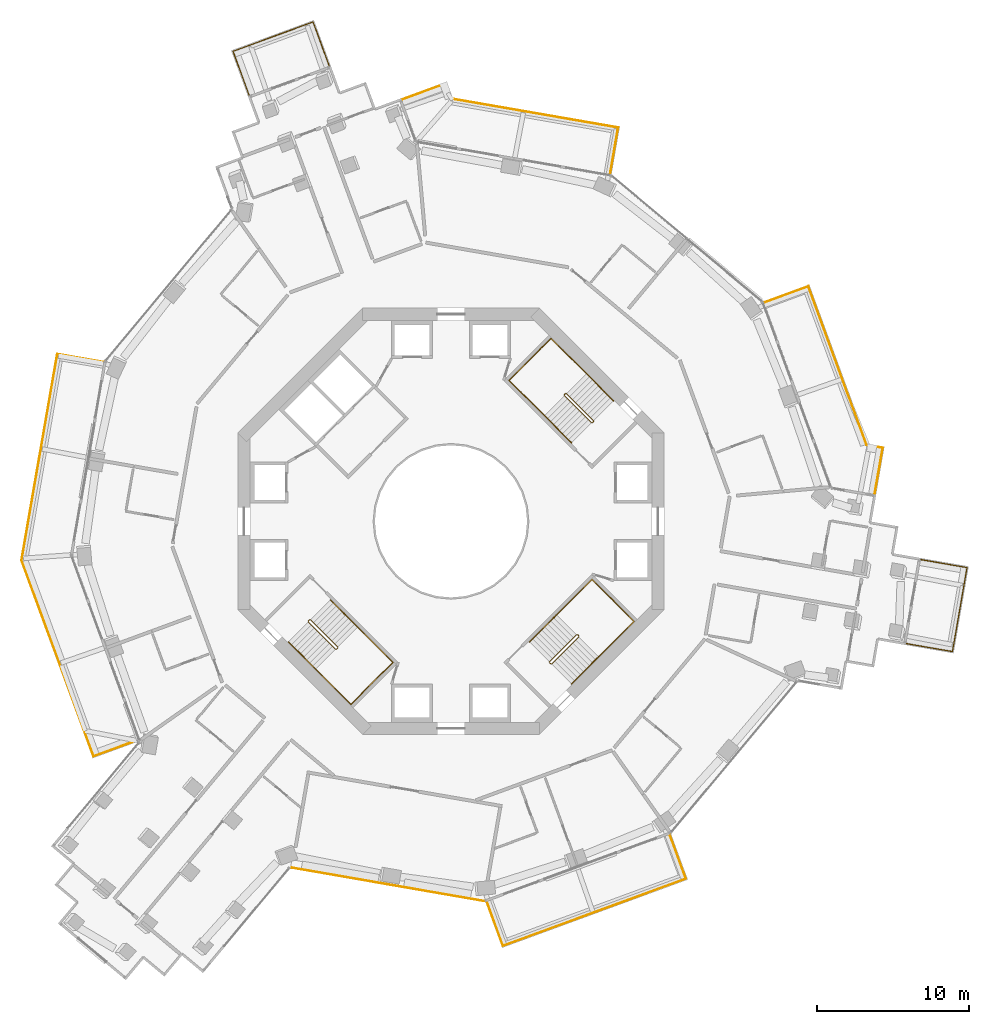
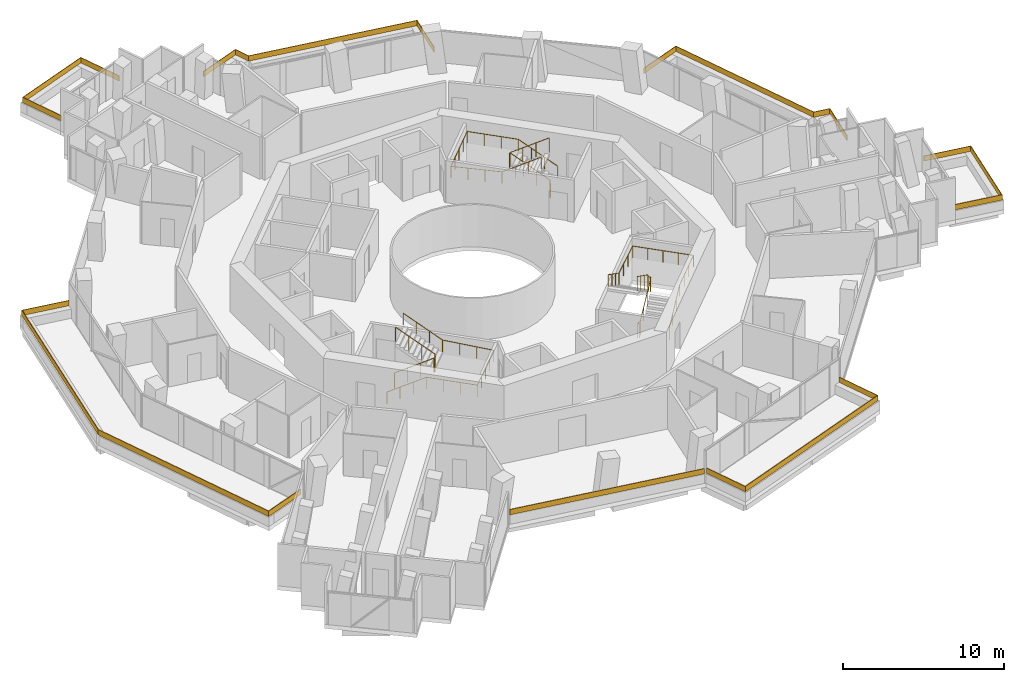
# One storey, part 24 of 24: 13 railings.
"""IFC4 building model written with IfcOpenShell, lengths in metres."""

from ifc_helpers import new_model, si_unit, direction, frame, origin, origin_2d, place, context, subcontext, project, spatial, polyline, rectangle, circle, outline, extrude, material, layer, layer_set, type_object, element, save


model = new_model("IFC4")

# Units and contexts
model_context = context("Model", 3, precision=1e-05, world=origin(), true_north=direction((0.0, 1.0)))
body_context = subcontext(model_context, "Body", "Model", "MODEL_VIEW")
ifc_project = project(units=[si_unit("LENGTHUNIT", "METRE"), si_unit("AREAUNIT", "SQUARE_METRE"), si_unit("VOLUMEUNIT", "CUBIC_METRE"), si_unit("PLANEANGLEUNIT", "RADIAN"), si_unit("MASSUNIT", "GRAM", prefix="KILO")], contexts=[model_context])

# Site, building, storey
site_placement = place(None, origin())
site = spatial("IfcSite", under=ifc_project, at=site_placement, CompositionType="ELEMENT")
building_placement = place(site_placement, origin())
building = spatial("IfcBuilding", under=site, at=building_placement, Name="Verdalira Terraces Hotel", CompositionType="ELEMENT")
storey_placement = place(building_placement, frame((0.0, 0.0, 115.0)))
storey = spatial("IfcBuildingStorey", under=building, at=storey_placement, Name="L27", CompositionType="ELEMENT", Elevation=115.0)

# Railings
ifc_material_1 = material(Name="Laminated glass", Category="glass")
ifc_layer = layer(ifc_material_1, 0.0400390625)
ifc_layer_set = layer_set([ifc_layer], Name="Balcony glass guard 400")
railing_type_1 = type_object("IfcRailingType", Name="Balcony glass guard 400", PredefinedType="GUARDRAIL", material=ifc_layer_set)
railing_1_placement = place(storey_placement, frame((0.0, 0.0, 0.699951)))
element("IfcRailing", 1, at=railing_1_placement, inside=storey, type_object=railing_type_1, Name="Balcony glass guard", PredefinedType="GUARDRAIL", context=body_context, shape_type="SweptSolid", body=[
    extrude(outline(polyline([(-9.072998, 32.779053), (-14.292236, 30.862793), (-13.231201, 27.972412), (-13.268555, 27.95874), (-14.343506, 30.886475), (-9.049072, 32.830322), (-7.974121, 29.902344), (-8.011719, 29.888672), (-9.072998, 32.779053)])), origin(), (0.0, 0.0, 1.0), 0.400146),
])
railing_2_placement = place(storey_placement, frame((0.0, 0.0, 0.699951)))
element("IfcRailing", 2, at=railing_2_placement, inside=storey, type_object=railing_type_1, Name="Balcony glass guard", PredefinedType="GUARDRAIL", context=body_context, shape_type="SweptSolid", body=[
    extrude(outline(polyline([(-25.845947, 10.958252), (-28.187988, -2.54541), (-23.4646, -15.411133), (-20.574219, -14.349854), (-20.560547, -14.387451), (-23.488281, -15.462402), (-28.229248, -2.549316), (-25.878418, 11.004395), (-22.805176, 10.471436), (-22.812012, 10.431885), (-25.845947, 10.958252)])), origin(), (0.0, 0.0, 1.0), 0.400146),
])
railing_3_placement = place(storey_placement, frame((0.0, 0.0, 0.699951)))
element("IfcRailing", 3, at=railing_3_placement, inside=storey, type_object=railing_type_1, Name="Balcony glass guard", PredefinedType="GUARDRAIL", context=body_context, shape_type="SweptSolid", body=[
    extrude(outline(polyline([(3.432861, -27.862305), (15.411133, -23.4646), (14.349854, -20.574219), (14.387451, -20.560547), (15.462402, -23.488281), (3.40918, -27.913574), (2.334229, -24.985596), (2.371582, -24.971924), (3.432861, -27.862305)])), origin(), (0.0, 0.0, 1.0), 0.400146),
])
railing_4_placement = place(storey_placement, frame((0.0, 0.0, 0.699951)))
element("IfcRailing", 4, at=railing_4_placement, inside=storey, type_object=railing_type_1, Name="Balcony glass guard", PredefinedType="GUARDRAIL", context=body_context, shape_type="SweptSolid", body=[
    extrude(outline(polyline([(32.923828, -8.532227), (33.874023, -3.053955), (30.840332, -2.527832), (30.847168, -2.488281), (33.92041, -3.02124), (32.956543, -8.578369), (29.883301, -8.04541), (29.890137, -8.005859), (32.923828, -8.532227)])), origin(), (0.0, 0.0, 1.0), 0.400146),
])
railing_5_placement = place(storey_placement, frame((0.0, 0.0, 0.699951)))
element("IfcRailing", 5, at=railing_5_placement, inside=storey, type_object=railing_type_1, Name="Balcony glass guard", PredefinedType="GUARDRAIL", context=body_context, shape_type="SweptSolid", body=[
    extrude(outline(polyline([(28.336182, 4.808105), (27.290771, 4.989502), (23.4646, 15.411133), (20.574219, 14.349854), (20.560547, 14.387451), (23.488281, 15.462402), (27.320312, 5.024902), (28.382568, 4.84082), (27.849365, 1.767578), (27.810059, 1.774414), (28.336182, 4.808105)])), origin(), (0.0, 0.0, 1.0), 0.400146),
])
railing_6_placement = place(storey_placement, frame((0.0, 0.0, 0.699951)))
element("IfcRailing", 6, at=railing_6_placement, inside=storey, type_object=railing_type_1, Name="Balcony glass guard", PredefinedType="GUARDRAIL", context=body_context, shape_type="SweptSolid", body=[
    extrude(outline(polyline([(10.958252, 25.845947), (0.019775, 27.743164), (-0.345947, 28.739258), (-3.236328, 27.677979), (-3.25, 27.715576), (-0.322266, 28.790527), (0.049316, 27.778564), (11.004395, 25.878418), (10.471436, 22.805176), (10.431885, 22.812012), (10.958252, 25.845947)])), origin(), (0.0, 0.0, 1.0), 0.400146),
])
railing_7_placement = place(storey_placement, frame((-4.137207, -23.852295, 0.699951), z_axis=(0.0, 0.0, 1.0), x_axis=(0.98528883, -0.170897402, 0.0)))
element("IfcRailing", 7, at=railing_7_placement, inside=storey, type_object=railing_type_1, Name="Loggia glass guard", PredefinedType="GUARDRAIL", context=body_context, shape_type="SweptSolid", body=[
    extrude(rectangle(XDim=12.840088, YDim=0.040039, at=origin_2d()), origin(), (0.0, 0.0, 1.0), 0.399902),
])
ifc_material_2 = material(Name="Stainless steel", Category="steel")
railing_type_2 = type_object("IfcRailingType", Name="Stair guard 1100", PredefinedType="GUARDRAIL", material=ifc_material_2)
railing_8_placement = place(storey_placement, frame((9.369141, 6.540771, 0.0)))
element("IfcRailing", 8, at=railing_8_placement, inside=storey, type_object=railing_type_2, Name="L27 ST1 stair guard 1", PredefinedType="GUARDRAIL", context=body_context, shape_type="SweptSolid", body=[
    extrude(circle(Radius=0.023926, at=origin_2d()), frame((0.0, 0.0, 1.076172), z_axis=(-0.707106781, -0.707106781, 0.0), x_axis=(0.707106781, -0.707106781, 0.0)), (0.0, 0.0, 1.0), 0.100098),
    extrude(circle(Radius=0.023926, at=origin_2d()), frame((-0.070801, -0.070801, 1.076172), z_axis=(0.300162975, 0.599290904, 0.742127078), x_axis=(-0.894118129, 0.447831187, 0.0)), (0.0, 0.0, 1.0), 0.23584),
    extrude(circle(Radius=0.023926, at=origin_2d()), frame((0.0, 0.070557, 1.250977), z_axis=(-0.599637504, 0.599637504, 0.52997144), x_axis=(-0.707106781, -0.707106781, 0.0)), (0.0, 0.0, 1.0), 2.97168),
    extrude(circle(Radius=0.023926, at=origin_2d()), frame((-1.781982, 1.852539, 2.826172), z_axis=(-1.0, 0.0, 0.0), x_axis=(0.0, -1.0, 0.0)), (0.0, 0.0, 1.0), 0.070557),
    extrude(circle(Radius=0.023926, at=origin_2d()), frame((-1.852539, 1.852539, 2.826172), z_axis=(-0.70832698, -0.705884473, 0.0), x_axis=(0.705884473, -0.70832698, 0.0)), (0.0, 0.0, 1.0), 0.099854),
    extrude(circle(Radius=0.023926, at=origin_2d()), frame((-1.92334, 1.781982, 2.826172), z_axis=(0.0, -0.374954687, 0.92704314), x_axis=(1.0, 0.0, 0.0)), (0.0, 0.0, 1.0), 0.188721),
    extrude(circle(Radius=0.023926, at=origin_2d()), frame((-1.92334, 1.711182, 3.000977), z_axis=(0.599637504, -0.599637504, 0.52997144), x_axis=(0.707106781, 0.707106781, 0.0)), (0.0, 0.0, 1.0), 2.97168),
    extrude(circle(Radius=0.020996, at=origin_2d()), origin(), (0.0, 0.0, 1.0), 1.052002),
    extrude(circle(Radius=0.020996, at=origin_2d()), frame((-0.070801, -0.070801, 0.0)), (0.0, 0.0, 1.0), 1.052002),
    extrude(circle(Radius=0.020996, at=origin_2d()), frame((0.0, 0.070557, 0.175049)), (0.0, 0.0, 1.0), 1.052002),
    extrude(circle(Radius=0.020996, at=origin_2d()), frame((-0.593994, 0.664551, 0.699951)), (0.0, 0.0, 1.0), 1.052002),
    extrude(circle(Radius=0.020996, at=origin_2d()), frame((-1.187988, 1.258545, 1.225098)), (0.0, 0.0, 1.0), 1.052002),
    extrude(circle(Radius=0.020996, at=origin_2d()), frame((-1.781982, 1.852539, 1.75)), (0.0, 0.0, 1.0), 1.052002),
    extrude(circle(Radius=0.020996, at=origin_2d()), frame((-1.852539, 1.852539, 1.75)), (0.0, 0.0, 1.0), 1.052002),
    extrude(circle(Radius=0.020996, at=origin_2d()), frame((-1.92334, 1.781982, 1.75)), (0.0, 0.0, 1.0), 1.052002),
    extrude(circle(Radius=0.020996, at=origin_2d()), frame((-1.92334, 1.711182, 1.925049)), (0.0, 0.0, 1.0), 1.052002),
    extrude(circle(Radius=0.020996, at=origin_2d()), frame((-1.329346, 1.117188, 2.449951)), (0.0, 0.0, 1.0), 1.052002),
    extrude(circle(Radius=0.020996, at=origin_2d()), frame((-0.735352, 0.523193, 2.975098)), (0.0, 0.0, 1.0), 1.052002),
    extrude(circle(Radius=0.020996, at=origin_2d()), frame((-0.141357, -0.070801, 3.5)), (0.0, 0.0, 1.0), 1.052002),
])
railing_9_placement = place(storey_placement, frame((-9.369141, -6.540771, 0.0)))
element("IfcRailing", 9, at=railing_9_placement, inside=storey, type_object=railing_type_2, Name="L27 ST2 stair guard 1", PredefinedType="GUARDRAIL", context=body_context, shape_type="SweptSolid", body=[
    extrude(circle(Radius=0.023926, at=origin_2d()), frame((0.0, 0.0, 1.076172), z_axis=(0.707106781, 0.707106781, 0.0), x_axis=(-0.707106781, 0.707106781, 0.0)), (0.0, 0.0, 1.0), 0.100098),
    extrude(circle(Radius=0.023926, at=origin_2d()), frame((0.070801, 0.070801, 1.076172), z_axis=(-0.300162975, -0.599290904, 0.742127078), x_axis=(0.894118129, -0.447831187, 0.0)), (0.0, 0.0, 1.0), 0.23584),
    extrude(circle(Radius=0.023926, at=origin_2d()), frame((0.0, -0.070557, 1.250977), z_axis=(0.599637504, -0.599637504, 0.52997144), x_axis=(0.707106781, 0.707106781, 0.0)), (0.0, 0.0, 1.0), 2.97168),
    extrude(circle(Radius=0.023926, at=origin_2d()), frame((1.781982, -1.852539, 2.826172), z_axis=(1.0, 0.0, 0.0), x_axis=(0.0, 1.0, 0.0)), (0.0, 0.0, 1.0), 0.070557),
    extrude(circle(Radius=0.023926, at=origin_2d()), frame((1.852539, -1.852539, 2.826172), z_axis=(0.70832698, 0.705884473, 0.0), x_axis=(-0.705884473, 0.70832698, 0.0)), (0.0, 0.0, 1.0), 0.099854),
    extrude(circle(Radius=0.023926, at=origin_2d()), frame((1.92334, -1.781982, 2.826172), z_axis=(0.0, 0.374954687, 0.92704314), x_axis=(-1.0, 0.0, 0.0)), (0.0, 0.0, 1.0), 0.188721),
    extrude(circle(Radius=0.023926, at=origin_2d()), frame((1.92334, -1.711182, 3.000977), z_axis=(-0.599637504, 0.599637504, 0.52997144), x_axis=(-0.707106781, -0.707106781, 0.0)), (0.0, 0.0, 1.0), 2.97168),
    extrude(circle(Radius=0.020996, at=origin_2d()), origin(), (0.0, 0.0, 1.0), 1.052002),
    extrude(circle(Radius=0.020996, at=origin_2d()), frame((0.070801, 0.070801, 0.0)), (0.0, 0.0, 1.0), 1.052002),
    extrude(circle(Radius=0.020996, at=origin_2d()), frame((0.0, -0.070557, 0.175049)), (0.0, 0.0, 1.0), 1.052002),
    extrude(circle(Radius=0.020996, at=origin_2d()), frame((0.593994, -0.664551, 0.699951)), (0.0, 0.0, 1.0), 1.052002),
    extrude(circle(Radius=0.020996, at=origin_2d()), frame((1.187988, -1.258545, 1.225098)), (0.0, 0.0, 1.0), 1.052002),
    extrude(circle(Radius=0.020996, at=origin_2d()), frame((1.781982, -1.852539, 1.75)), (0.0, 0.0, 1.0), 1.052002),
    extrude(circle(Radius=0.020996, at=origin_2d()), frame((1.852539, -1.852539, 1.75)), (0.0, 0.0, 1.0), 1.052002),
    extrude(circle(Radius=0.020996, at=origin_2d()), frame((1.92334, -1.781982, 1.75)), (0.0, 0.0, 1.0), 1.052002),
    extrude(circle(Radius=0.020996, at=origin_2d()), frame((1.92334, -1.711182, 1.925049)), (0.0, 0.0, 1.0), 1.052002),
    extrude(circle(Radius=0.020996, at=origin_2d()), frame((1.329346, -1.117188, 2.449951)), (0.0, 0.0, 1.0), 1.052002),
    extrude(circle(Radius=0.020996, at=origin_2d()), frame((0.735352, -0.523193, 2.975098)), (0.0, 0.0, 1.0), 1.052002),
    extrude(circle(Radius=0.020996, at=origin_2d()), frame((0.141357, 0.070801, 3.5)), (0.0, 0.0, 1.0), 1.052002),
])
railing_10_placement = place(storey_placement, frame((6.540771, -9.369141, 0.0)))
element("IfcRailing", 10, at=railing_10_placement, inside=storey, type_object=railing_type_2, Name="L27 ST3 stair guard 1", PredefinedType="GUARDRAIL", context=body_context, shape_type="SweptSolid", body=[
    extrude(circle(Radius=0.023926, at=origin_2d()), frame((0.0, 0.0, 1.076172), z_axis=(-0.707106781, 0.707106781, 0.0), x_axis=(-0.707106781, -0.707106781, 0.0)), (0.0, 0.0, 1.0), 0.100098),
    extrude(circle(Radius=0.023926, at=origin_2d()), frame((-0.070801, 0.070801, 1.076172), z_axis=(0.599290904, -0.300162975, 0.742127078), x_axis=(0.447831187, 0.894118129, 0.0)), (0.0, 0.0, 1.0), 0.23584),
    extrude(circle(Radius=0.023926, at=origin_2d()), frame((0.070557, 0.0, 1.250977), z_axis=(0.599637504, 0.599637504, 0.52997144), x_axis=(-0.707106781, 0.707106781, 0.0)), (0.0, 0.0, 1.0), 2.97168),
    extrude(circle(Radius=0.023926, at=origin_2d()), frame((1.852539, 1.781982, 2.826172), z_axis=(0.0, 1.0, 0.0), x_axis=(-1.0, 0.0, 0.0)), (0.0, 0.0, 1.0), 0.070557),
    extrude(circle(Radius=0.023926, at=origin_2d()), frame((1.852539, 1.852539, 2.826172), z_axis=(-0.705884473, 0.70832698, 0.0), x_axis=(-0.70832698, -0.705884473, 0.0)), (0.0, 0.0, 1.0), 0.099854),
    extrude(circle(Radius=0.023926, at=origin_2d()), frame((1.781982, 1.92334, 2.826172), z_axis=(-0.374954687, 0.0, 0.92704314), x_axis=(0.0, -1.0, 0.0)), (0.0, 0.0, 1.0), 0.188721),
    extrude(circle(Radius=0.023926, at=origin_2d()), frame((1.711182, 1.92334, 3.000977), z_axis=(-0.599637504, -0.599637504, 0.52997144), x_axis=(0.707106781, -0.707106781, 0.0)), (0.0, 0.0, 1.0), 2.97168),
    extrude(circle(Radius=0.020996, at=origin_2d()), origin(), (0.0, 0.0, 1.0), 1.052002),
    extrude(circle(Radius=0.020996, at=origin_2d()), frame((-0.070801, 0.070801, 0.0)), (0.0, 0.0, 1.0), 1.052002),
    extrude(circle(Radius=0.020996, at=origin_2d()), frame((0.070557, 0.0, 0.175049)), (0.0, 0.0, 1.0), 1.052002),
    extrude(circle(Radius=0.020996, at=origin_2d()), frame((0.664551, 0.593994, 0.699951)), (0.0, 0.0, 1.0), 1.052002),
    extrude(circle(Radius=0.020996, at=origin_2d()), frame((1.258545, 1.187988, 1.225098)), (0.0, 0.0, 1.0), 1.052002),
    extrude(circle(Radius=0.020996, at=origin_2d()), frame((1.852539, 1.781982, 1.75)), (0.0, 0.0, 1.0), 1.052002),
    extrude(circle(Radius=0.020996, at=origin_2d()), frame((1.852539, 1.852539, 1.75)), (0.0, 0.0, 1.0), 1.052002),
    extrude(circle(Radius=0.020996, at=origin_2d()), frame((1.781982, 1.92334, 1.75)), (0.0, 0.0, 1.0), 1.052002),
    extrude(circle(Radius=0.020996, at=origin_2d()), frame((1.711182, 1.92334, 1.925049)), (0.0, 0.0, 1.0), 1.052002),
    extrude(circle(Radius=0.020996, at=origin_2d()), frame((1.117188, 1.329346, 2.449951)), (0.0, 0.0, 1.0), 1.052002),
    extrude(circle(Radius=0.020996, at=origin_2d()), frame((0.523193, 0.735352, 2.975098)), (0.0, 0.0, 1.0), 1.052002),
    extrude(circle(Radius=0.020996, at=origin_2d()), frame((-0.070801, 0.141357, 3.5)), (0.0, 0.0, 1.0), 1.052002),
])
ifc_material_3 = material(Name="Stainless steel", Category="steel")
railing_type_3 = type_object("IfcRailingType", Name="Stair handrail 900", PredefinedType="HANDRAIL", material=ifc_material_3)
railing_11_placement = place(storey_placement, frame((10.677246, 7.919678, 0.175049)))
element("IfcRailing", 11, at=railing_11_placement, inside=storey, type_object=railing_type_3, Name="L27 ST1 stair handrail 1", PredefinedType="HANDRAIL", context=body_context, shape_type="SweptSolid", body=[
    extrude(circle(Radius=0.023926, at=origin_2d()), frame((0.0, 0.0, 0.875977), z_axis=(-0.599614426, 0.599614426, 0.530023659), x_axis=(-0.707106781, -0.707106781, 0.0)), (0.0, 0.0, 1.0), 2.971436),
    extrude(circle(Radius=0.023926, at=origin_2d()), frame((-1.781738, 1.781738, 2.450684), z_axis=(-0.707106781, 0.707106781, 0.0), x_axis=(-0.707106781, -0.707106781, 0.0)), (0.0, 0.0, 1.0), 3.280029),
    extrude(circle(Radius=0.023926, at=origin_2d()), frame((-4.101074, 4.101074, 2.450684), z_axis=(-0.707138081, -0.70707548, 0.0), x_axis=(0.70707548, -0.707138081, 0.0)), (0.0, 0.0, 1.0), 3.899902),
    extrude(circle(Radius=0.023926, at=origin_2d()), frame((-6.858887, 1.343506, 2.450684), z_axis=(0.706101958, -0.706101958, 0.053292116), x_axis=(0.707106781, 0.707106781, 0.0)), (0.0, 0.0, 1.0), 3.284668),
    extrude(circle(Radius=0.023926, at=origin_2d()), frame((-4.539551, -0.97583, 2.625977), z_axis=(0.599637504, -0.599637504, 0.52997144), x_axis=(0.707106781, 0.707106781, 0.0)), (0.0, 0.0, 1.0), 2.97168),
    extrude(circle(Radius=0.020996, at=origin_2d()), origin(), (0.0, 0.0, 1.0), 0.851807),
    extrude(circle(Radius=0.020996, at=origin_2d()), frame((-0.593994, 0.593994, 0.524902)), (0.0, 0.0, 1.0), 0.851807),
    extrude(circle(Radius=0.020996, at=origin_2d()), frame((-1.187744, 1.187744, 1.050049)), (0.0, 0.0, 1.0), 0.851807),
    extrude(circle(Radius=0.020996, at=origin_2d()), frame((-1.781738, 1.781738, 1.574951)), (0.0, 0.0, 1.0), 0.851807),
    extrude(circle(Radius=0.020996, at=origin_2d()), frame((-2.554932, 2.554932, 1.574951)), (0.0, 0.0, 1.0), 0.851807),
    extrude(circle(Radius=0.020996, at=origin_2d()), frame((-3.327881, 3.327881, 1.574951)), (0.0, 0.0, 1.0), 0.851807),
    extrude(circle(Radius=0.020996, at=origin_2d()), frame((-4.101074, 4.101074, 1.574951)), (0.0, 0.0, 1.0), 0.851807),
    extrude(circle(Radius=0.020996, at=origin_2d()), frame((-4.790527, 3.411621, 1.574951)), (0.0, 0.0, 1.0), 0.851807),
    extrude(circle(Radius=0.020996, at=origin_2d()), frame((-5.47998, 2.722168, 1.574951)), (0.0, 0.0, 1.0), 0.851807),
    extrude(circle(Radius=0.020996, at=origin_2d()), frame((-6.169434, 2.032959, 1.574951)), (0.0, 0.0, 1.0), 0.851807),
    extrude(circle(Radius=0.020996, at=origin_2d()), frame((-6.858887, 1.343506, 1.574951)), (0.0, 0.0, 1.0), 0.851807),
    extrude(circle(Radius=0.020996, at=origin_2d()), frame((-6.085693, 0.570312, 1.633301)), (0.0, 0.0, 1.0), 0.851807),
    extrude(circle(Radius=0.020996, at=origin_2d()), frame((-5.312744, -0.202637, 1.69165)), (0.0, 0.0, 1.0), 0.851807),
    extrude(circle(Radius=0.020996, at=origin_2d()), frame((-4.539551, -0.97583, 1.75)), (0.0, 0.0, 1.0), 0.851807),
    extrude(circle(Radius=0.020996, at=origin_2d()), frame((-3.945557, -1.569824, 2.274902)), (0.0, 0.0, 1.0), 0.851807),
    extrude(circle(Radius=0.020996, at=origin_2d()), frame((-3.351562, -2.163818, 2.800049)), (0.0, 0.0, 1.0), 0.851807),
    extrude(circle(Radius=0.020996, at=origin_2d()), frame((-2.757568, -2.757812, 3.324951)), (0.0, 0.0, 1.0), 0.851807),
])
railing_12_placement = place(storey_placement, frame((-10.677246, -7.919678, 0.175049)))
element("IfcRailing", 12, at=railing_12_placement, inside=storey, type_object=railing_type_3, Name="L27 ST2 stair handrail 1", PredefinedType="HANDRAIL", context=body_context, shape_type="SweptSolid", body=[
    extrude(circle(Radius=0.023926, at=origin_2d()), frame((0.0, 0.0, 0.875977), z_axis=(0.599614426, -0.599614426, 0.530023659), x_axis=(0.707106781, 0.707106781, 0.0)), (0.0, 0.0, 1.0), 2.971436),
    extrude(circle(Radius=0.023926, at=origin_2d()), frame((1.781738, -1.781738, 2.450684), z_axis=(0.707106781, -0.707106781, 0.0), x_axis=(0.707106781, 0.707106781, 0.0)), (0.0, 0.0, 1.0), 3.280029),
    extrude(circle(Radius=0.023926, at=origin_2d()), frame((4.101074, -4.101074, 2.450684), z_axis=(0.707138081, 0.70707548, 0.0), x_axis=(-0.70707548, 0.707138081, 0.0)), (0.0, 0.0, 1.0), 3.899902),
    extrude(circle(Radius=0.023926, at=origin_2d()), frame((6.858887, -1.343506, 2.450684), z_axis=(-0.706101958, 0.706101958, 0.053292116), x_axis=(-0.707106781, -0.707106781, 0.0)), (0.0, 0.0, 1.0), 3.284668),
    extrude(circle(Radius=0.023926, at=origin_2d()), frame((4.539551, 0.97583, 2.625977), z_axis=(-0.599637504, 0.599637504, 0.52997144), x_axis=(-0.707106781, -0.707106781, 0.0)), (0.0, 0.0, 1.0), 2.97168),
    extrude(circle(Radius=0.020996, at=origin_2d()), origin(), (0.0, 0.0, 1.0), 0.851807),
    extrude(circle(Radius=0.020996, at=origin_2d()), frame((0.593994, -0.593994, 0.524902)), (0.0, 0.0, 1.0), 0.851807),
    extrude(circle(Radius=0.020996, at=origin_2d()), frame((1.187744, -1.187744, 1.050049)), (0.0, 0.0, 1.0), 0.851807),
    extrude(circle(Radius=0.020996, at=origin_2d()), frame((1.781738, -1.781738, 1.574951)), (0.0, 0.0, 1.0), 0.851807),
    extrude(circle(Radius=0.020996, at=origin_2d()), frame((2.554932, -2.554932, 1.574951)), (0.0, 0.0, 1.0), 0.851807),
    extrude(circle(Radius=0.020996, at=origin_2d()), frame((3.327881, -3.327881, 1.574951)), (0.0, 0.0, 1.0), 0.851807),
    extrude(circle(Radius=0.020996, at=origin_2d()), frame((4.101074, -4.101074, 1.574951)), (0.0, 0.0, 1.0), 0.851807),
    extrude(circle(Radius=0.020996, at=origin_2d()), frame((4.790527, -3.411621, 1.574951)), (0.0, 0.0, 1.0), 0.851807),
    extrude(circle(Radius=0.020996, at=origin_2d()), frame((5.47998, -2.722168, 1.574951)), (0.0, 0.0, 1.0), 0.851807),
    extrude(circle(Radius=0.020996, at=origin_2d()), frame((6.169434, -2.032959, 1.574951)), (0.0, 0.0, 1.0), 0.851807),
    extrude(circle(Radius=0.020996, at=origin_2d()), frame((6.858887, -1.343506, 1.574951)), (0.0, 0.0, 1.0), 0.851807),
    extrude(circle(Radius=0.020996, at=origin_2d()), frame((6.085693, -0.570312, 1.633301)), (0.0, 0.0, 1.0), 0.851807),
    extrude(circle(Radius=0.020996, at=origin_2d()), frame((5.312744, 0.202637, 1.69165)), (0.0, 0.0, 1.0), 0.851807),
    extrude(circle(Radius=0.020996, at=origin_2d()), frame((4.539551, 0.97583, 1.75)), (0.0, 0.0, 1.0), 0.851807),
    extrude(circle(Radius=0.020996, at=origin_2d()), frame((3.945557, 1.569824, 2.274902)), (0.0, 0.0, 1.0), 0.851807),
    extrude(circle(Radius=0.020996, at=origin_2d()), frame((3.351562, 2.163818, 2.800049)), (0.0, 0.0, 1.0), 0.851807),
    extrude(circle(Radius=0.020996, at=origin_2d()), frame((2.757568, 2.757812, 3.324951)), (0.0, 0.0, 1.0), 0.851807),
])
railing_13_placement = place(storey_placement, frame((7.919678, -10.677246, 0.175049)))
element("IfcRailing", 13, at=railing_13_placement, inside=storey, type_object=railing_type_3, Name="L27 ST3 stair handrail 1", PredefinedType="HANDRAIL", context=body_context, shape_type="SweptSolid", body=[
    extrude(circle(Radius=0.023926, at=origin_2d()), frame((0.0, 0.0, 0.875977), z_axis=(0.599614426, 0.599614426, 0.530023659), x_axis=(-0.707106781, 0.707106781, 0.0)), (0.0, 0.0, 1.0), 2.971436),
    extrude(circle(Radius=0.023926, at=origin_2d()), frame((1.781738, 1.781738, 2.450684), z_axis=(0.707106781, 0.707106781, 0.0), x_axis=(-0.707106781, 0.707106781, 0.0)), (0.0, 0.0, 1.0), 3.280029),
    extrude(circle(Radius=0.023926, at=origin_2d()), frame((4.101074, 4.101074, 2.450684), z_axis=(-0.70707548, 0.707138081, 0.0), x_axis=(-0.707138081, -0.70707548, 0.0)), (0.0, 0.0, 1.0), 3.899902),
    extrude(circle(Radius=0.023926, at=origin_2d()), frame((1.343506, 6.858887, 2.450684), z_axis=(-0.706101958, -0.706101958, 0.053292116), x_axis=(0.707106781, -0.707106781, 0.0)), (0.0, 0.0, 1.0), 3.284668),
    extrude(circle(Radius=0.023926, at=origin_2d()), frame((-0.97583, 4.539551, 2.625977), z_axis=(-0.599637504, -0.599637504, 0.52997144), x_axis=(0.707106781, -0.707106781, 0.0)), (0.0, 0.0, 1.0), 2.97168),
    extrude(circle(Radius=0.020996, at=origin_2d()), origin(), (0.0, 0.0, 1.0), 0.851807),
    extrude(circle(Radius=0.020996, at=origin_2d()), frame((0.593994, 0.593994, 0.524902)), (0.0, 0.0, 1.0), 0.851807),
    extrude(circle(Radius=0.020996, at=origin_2d()), frame((1.187744, 1.187744, 1.050049)), (0.0, 0.0, 1.0), 0.851807),
    extrude(circle(Radius=0.020996, at=origin_2d()), frame((1.781738, 1.781738, 1.574951)), (0.0, 0.0, 1.0), 0.851807),
    extrude(circle(Radius=0.020996, at=origin_2d()), frame((2.554932, 2.554932, 1.574951)), (0.0, 0.0, 1.0), 0.851807),
    extrude(circle(Radius=0.020996, at=origin_2d()), frame((3.327881, 3.327881, 1.574951)), (0.0, 0.0, 1.0), 0.851807),
    extrude(circle(Radius=0.020996, at=origin_2d()), frame((4.101074, 4.101074, 1.574951)), (0.0, 0.0, 1.0), 0.851807),
    extrude(circle(Radius=0.020996, at=origin_2d()), frame((3.411621, 4.790527, 1.574951)), (0.0, 0.0, 1.0), 0.851807),
    extrude(circle(Radius=0.020996, at=origin_2d()), frame((2.722168, 5.47998, 1.574951)), (0.0, 0.0, 1.0), 0.851807),
    extrude(circle(Radius=0.020996, at=origin_2d()), frame((2.032959, 6.169434, 1.574951)), (0.0, 0.0, 1.0), 0.851807),
    extrude(circle(Radius=0.020996, at=origin_2d()), frame((1.343506, 6.858887, 1.574951)), (0.0, 0.0, 1.0), 0.851807),
    extrude(circle(Radius=0.020996, at=origin_2d()), frame((0.570312, 6.085693, 1.633301)), (0.0, 0.0, 1.0), 0.851807),
    extrude(circle(Radius=0.020996, at=origin_2d()), frame((-0.202637, 5.312744, 1.69165)), (0.0, 0.0, 1.0), 0.851807),
    extrude(circle(Radius=0.020996, at=origin_2d()), frame((-0.97583, 4.539551, 1.75)), (0.0, 0.0, 1.0), 0.851807),
    extrude(circle(Radius=0.020996, at=origin_2d()), frame((-1.569824, 3.945557, 2.274902)), (0.0, 0.0, 1.0), 0.851807),
    extrude(circle(Radius=0.020996, at=origin_2d()), frame((-2.163818, 3.351562, 2.800049)), (0.0, 0.0, 1.0), 0.851807),
    extrude(circle(Radius=0.020996, at=origin_2d()), frame((-2.757812, 2.757568, 3.324951)), (0.0, 0.0, 1.0), 0.851807),
])

save(model, "model.ifc")
